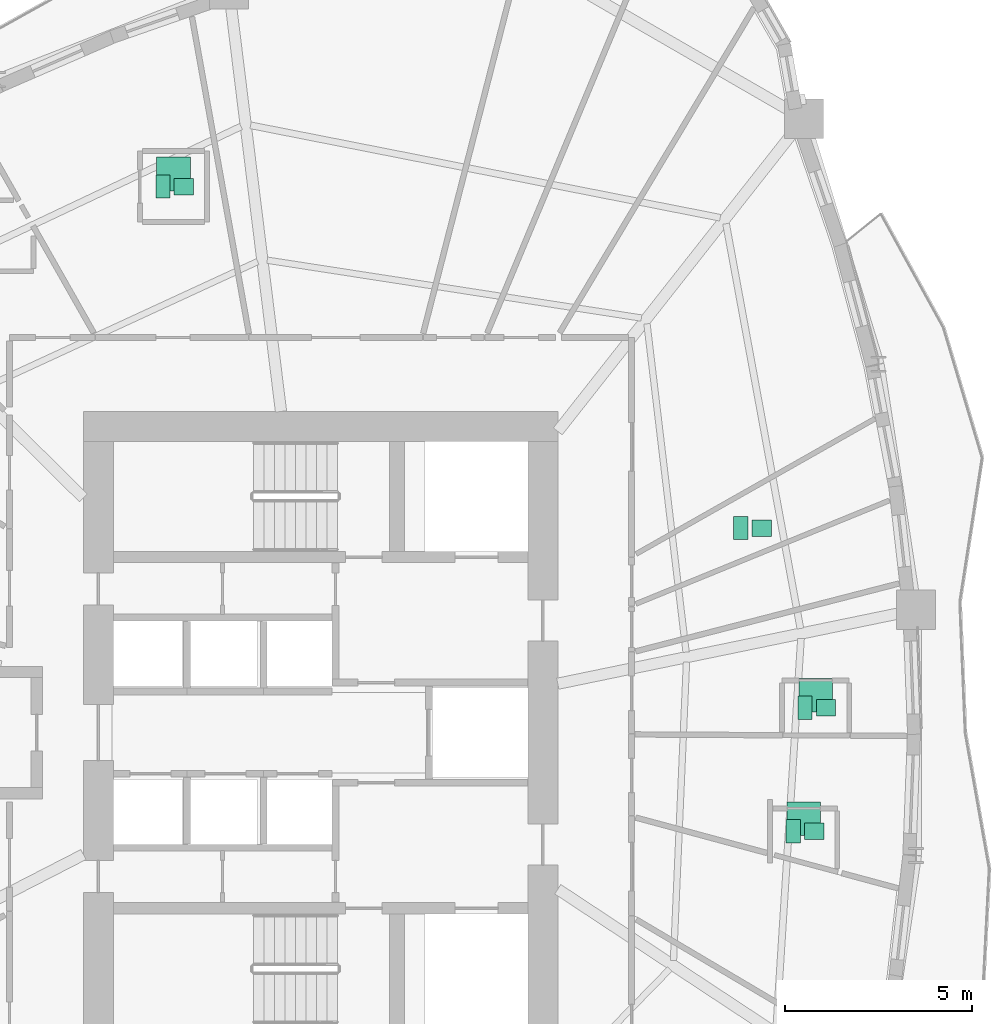
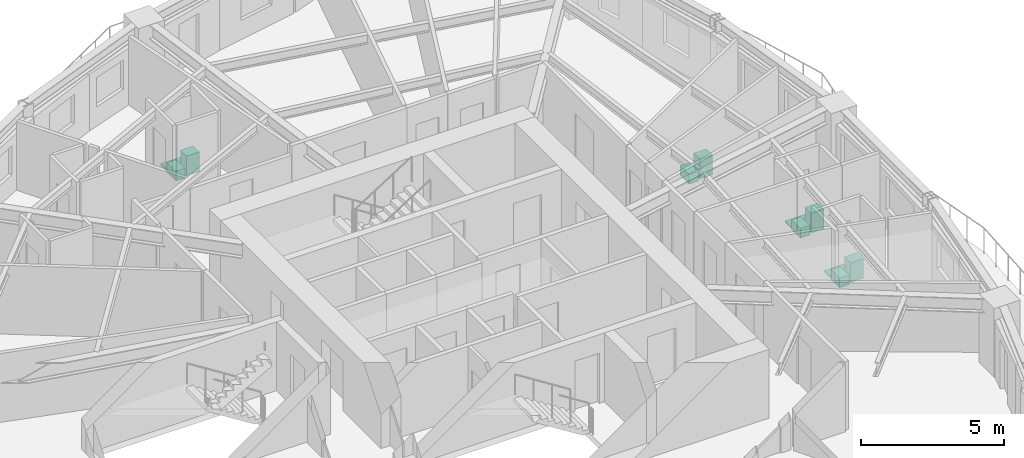
# One storey, part 13 of 13: 11 sanitary terminals.
"""IFC4 building model written with IfcOpenShell, lengths in metres."""

import ifcopenshell
import ifcopenshell.guid

model = None  # the IFC model being written
_history = None  # IfcOwnerHistory: only IFC2X3 demands one
_inside = {}  # id of a spatial element -> (the spatial element, [elements in it])
_under = {}  # id of a project, library or spatial element -> (it, [spatial elements below it])
_declared = {}  # id of a project -> (the project, [libraries it declares])
_typed = {}  # id of a type object -> (the type object, [elements of that type])
_made_of = {}  # id of a material, layer set ... -> (it, [elements and type objects made of it])


def new_model(schema):
    """Start an empty IFC model of exactly this schema.

    Asked for "IFC4X3", IfcOpenShell would pick the latest addendum, in which some entities
    have other attributes; the version numbers below select the first issue.
    IFC2X3 requires an IfcOwnerHistory on every rooted entity: one is made here for all.
    """
    global model, _history
    if schema == "IFC4X3":
        model = ifcopenshell.file(schema_version=(4, 3, 0, 0))
    else:
        model = ifcopenshell.file(schema=schema)
    _inside.clear()
    _under.clear()
    _declared.clear()
    _typed.clear()
    _made_of.clear()
    _history = None
    if model.schema == "IFC2X3":
        org = make("IfcOrganization", Name="unknown")
        user = make(
            "IfcPersonAndOrganization",
            ThePerson=make("IfcPerson", FamilyName="unknown"),
            TheOrganization=org,
        )
        app = make(
            "IfcApplication",
            ApplicationDeveloper=org,
            Version="unknown",
            ApplicationFullName="unknown",
            ApplicationIdentifier="unknown",
        )
        _history = make(
            "IfcOwnerHistory",
            OwningUser=user,
            OwningApplication=app,
            ChangeAction="ADDED",
            CreationDate=0,
        )
    return model


def make(cls, **values):
    """One entity of the class cls with the attributes given. An attribute that is None is left unset."""
    return model.create_entity(
        cls, **{name: value for name, value in values.items() if value is not None}
    )


def rooted(cls, **values):
    """An entity with a GlobalId (a new one), such as an element, a storey or a relation."""
    return make(cls, GlobalId=ifcopenshell.guid.new(), OwnerHistory=_history, **values)


def si_unit(unit_type, name, prefix=None):
    """IfcSIUnit, for example si_unit("LENGTHUNIT", "METRE", prefix="MILLI")."""
    return make("IfcSIUnit", UnitType=unit_type, Prefix=prefix, Name=name)


def assignment(units):
    """IfcUnitAssignment: the units of a project."""
    return None if units is None else make("IfcUnitAssignment", Units=units)


def point(xyz):
    """IfcCartesianPoint."""
    return None if xyz is None else make("IfcCartesianPoint", Coordinates=xyz)


def direction(xyz):
    """IfcDirection."""
    return None if xyz is None else make("IfcDirection", DirectionRatios=xyz)


def frame(location, z_axis=None, x_axis=None):
    """IfcAxis2Placement3D, a coordinate frame: its origin and axes. An axis left out is left unset."""
    return make(
        "IfcAxis2Placement3D",
        Location=point(location),
        Axis=direction(z_axis),
        RefDirection=direction(x_axis),
    )


def frame_2d(location, x_axis=None):
    """IfcAxis2Placement2D, a coordinate frame in the plane: its origin and x axis."""
    return make(
        "IfcAxis2Placement2D", Location=point(location), RefDirection=direction(x_axis)
    )


def origin():
    """The frame at (0, 0, 0) with its axes left unset."""
    return frame((0.0, 0.0, 0.0))


def origin_2d():
    """The frame at (0, 0) in the plane with its x axis left unset."""
    return frame_2d((0.0, 0.0))


def place(relative_to, where):
    """IfcLocalPlacement: puts the frame where relative to a parent placement (None: the world)."""
    return make(
        "IfcLocalPlacement", PlacementRelTo=relative_to, RelativePlacement=where
    )


def context(
    kind, dimensions, precision=None, world=None, true_north=None, identifier=None
):
    """IfcGeometricRepresentationContext, for example the 3D "Model" context."""
    return make(
        "IfcGeometricRepresentationContext",
        ContextIdentifier=identifier,
        ContextType=kind,
        CoordinateSpaceDimension=dimensions,
        Precision=precision,
        WorldCoordinateSystem=world,
        TrueNorth=true_north,
    )


def subcontext(parent, identifier, kind, view, scale=None):
    """IfcGeometricRepresentationSubContext, for example "Body" below "Model"."""
    return make(
        "IfcGeometricRepresentationSubContext",
        ContextIdentifier=identifier,
        ContextType=kind,
        ParentContext=parent,
        TargetScale=scale,
        TargetView=view,
    )


def project(units=None, contexts=None):
    """IfcProject with its units and contexts."""
    return rooted(
        "IfcProject",
        Name="project",
        RepresentationContexts=contexts,
        UnitsInContext=assignment(units),
    )


def spatial(cls, under=None, at=None, **own):
    """A site, building, storey or space (cls), placed at a placement, below another one or the project."""
    s = rooted(cls, ObjectPlacement=at, **own)
    if under is not None:
        _under.setdefault(under.id(), (under, []))[1].append(s)
    return s


def profile(cls, at=None, kind="AREA", **sizes):
    """A parametric profile (cls). Its sizes go by their IFC names, for example OverallWidth=200.0."""
    return make(cls, ProfileType=kind, Position=at, **sizes)


def rectangle(**sizes):
    """IfcRectangleProfileDef."""
    return profile("IfcRectangleProfileDef", **sizes)


def extrude(swept, where, along, depth):
    """IfcExtrudedAreaSolid: the profile swept, set in the frame where, extruded along a direction by depth."""
    return make(
        "IfcExtrudedAreaSolid",
        SweptArea=swept,
        Position=where,
        ExtrudedDirection=direction(along),
        Depth=depth,
    )


def shape(context_of_items, identifier, shape_type, items):
    """IfcShapeRepresentation: the items that make up one representation, for example the "Body"."""
    return make(
        "IfcShapeRepresentation",
        ContextOfItems=context_of_items,
        RepresentationIdentifier=identifier,
        RepresentationType=shape_type,
        Items=items,
    )


def source(mapping_origin, context_of_items, identifier, shape_type, items):
    """IfcRepresentationMap: a shape defined once, which mapped items show again and again."""
    return make(
        "IfcRepresentationMap",
        MappingOrigin=mapping_origin,
        MappedRepresentation=shape(context_of_items, identifier, shape_type, items),
    )


def transform(
    local_origin,
    x_axis=None,
    y_axis=None,
    z_axis=None,
    scale=None,
    scale2=None,
    scale3=None,
    uniform=True,
):
    """IfcCartesianTransformationOperator3D, or its non-uniform kind. x_axis, y_axis, z_axis: its Axis1, 2, 3."""
    if uniform:
        return make(
            "IfcCartesianTransformationOperator3D",
            Axis1=direction(x_axis),
            Axis2=direction(y_axis),
            LocalOrigin=point(local_origin),
            Scale=scale,
            Axis3=direction(z_axis),
        )
    return make(
        "IfcCartesianTransformationOperator3DnonUniform",
        Axis1=direction(x_axis),
        Axis2=direction(y_axis),
        LocalOrigin=point(local_origin),
        Scale=scale,
        Axis3=direction(z_axis),
        Scale2=scale2,
        Scale3=scale3,
    )


def mapped(mapping_source, mapping_target):
    """IfcMappedItem: shows the shape of a source again, moved by a transform."""
    return make(
        "IfcMappedItem", MappingSource=mapping_source, MappingTarget=mapping_target
    )


def material(Name=None, Category=None):
    """IfcMaterial."""
    return make("IfcMaterial", Name=Name, Category=Category)


def made_of(thing, what):
    """Note that an element or type object is made of a material, layer set ...; save() writes the relation."""
    if what is not None:
        _made_of.setdefault(what.id(), (what, []))[1].append(thing)
    return thing


def type_object(cls, material=None, **own):
    """A type object (cls), such as IfcWallType, which elements share."""
    return made_of(rooted(cls, **own), material)


def element(
    cls,
    number,
    at=None,
    inside=None,
    cuts=None,
    type_object=None,
    material=None,
    context=None,
    identifier="Body",
    shape_type=None,
    held_by="IfcProductDefinitionShape",
    body=None,
    shapes=None,
    **own,
):
    """One element of the class cls, such as IfcWall. Its Tag is "e" and its number.

    at: its placement. inside: the storey or other place that contains it. cuts: it is an
    opening in that element (IfcRelVoidsElement). A single representation is given by context,
    identifier, shape_type and body (its items); several are given by shapes. held_by: the class
    of the entity that holds the representations. save() writes the other relations.
    """
    e = rooted(cls, Tag="e%d" % number, ObjectPlacement=at, **own)
    if body is not None:
        shapes = [shape(context, identifier, shape_type, body)]
    if shapes is not None:
        e.Representation = make(held_by, Representations=shapes)
    if inside is not None:
        _inside.setdefault(inside.id(), (inside, []))[1].append(e)
    if cuts is not None:
        rooted(
            "IfcRelVoidsElement", RelatingBuildingElement=cuts, RelatedOpeningElement=e
        )
    if type_object is not None:
        _typed.setdefault(type_object.id(), (type_object, []))[1].append(e)
    return made_of(e, material)


def aggregate(whole, parts):
    """IfcRelAggregates: a whole, such as a stair, and the parts it consists of."""
    return rooted("IfcRelAggregates", RelatingObject=whole, RelatedObjects=parts)


def save(model, path):
    """Write the relations noted so far, then the file.

    IfcRelAggregates (storeys below a building ...), IfcRelContainedInSpatialStructure (elements
    in a storey), IfcRelDefinesByType, IfcRelAssociatesMaterial and IfcRelDeclares: one each for
    every whole, place, type object, material and project.
    """
    for whole, parts in _under.values():
        aggregate(whole, parts)
    for where, things in _inside.values():
        rooted(
            "IfcRelContainedInSpatialStructure",
            RelatedElements=things,
            RelatingStructure=where,
        )
    for kind, things in _typed.values():
        rooted("IfcRelDefinesByType", RelatedObjects=things, RelatingType=kind)
    for what, things in _made_of.values():
        rooted("IfcRelAssociatesMaterial", RelatedObjects=things, RelatingMaterial=what)
    for by, libraries in _declared.values():
        rooted("IfcRelDeclares", RelatingContext=by, RelatedDefinitions=libraries)
    model.write(path)


model = new_model("IFC4")

# Units and contexts
model_context = context("Model", 3, precision=1e-05, world=origin(), true_north=direction((0.0, 1.0)))
body_context = subcontext(model_context, "Body", "Model", "MODEL_VIEW")
ifc_project = project(units=[si_unit("LENGTHUNIT", "METRE"), si_unit("AREAUNIT", "SQUARE_METRE"), si_unit("VOLUMEUNIT", "CUBIC_METRE"), si_unit("PLANEANGLEUNIT", "RADIAN"), si_unit("MASSUNIT", "GRAM", prefix="KILO")], contexts=[model_context])

# Site, building, storey
site_placement = place(None, origin())
site = spatial("IfcSite", under=ifc_project, at=site_placement, CompositionType="ELEMENT")
building_placement = place(site_placement, origin())
building = spatial("IfcBuilding", under=site, at=building_placement, Name="Qafzar Sky-Pleat Residences", CompositionType="ELEMENT")
storey_placement = place(building_placement, frame((0.0, 0.0, 46.199951171875)))
storey = spatial("IfcBuildingStorey", under=building, at=storey_placement, Name="L13", CompositionType="ELEMENT", Elevation=46.199951171875)

# Sanitary terminals
ifc_material_1 = material(Name="Vitreous china sanitaryware")
sanitary_terminal_type_1 = type_object("IfcSanitaryTerminalType", Name="SAN-WC-PAN", PredefinedType="TOILETPAN", material=ifc_material_1)
shared_shape_1 = source(origin(), body_context, "Body", "SweptSolid", [
    extrude(rectangle(XDim=0.3798828125, YDim=0.6201171875, at=origin_2d()), origin(), (0.0, 0.0, 1.0), 0.419921875),
])
for number, where, z_axis, x_axis, name in (
    (1, (43.00390625, 23.359375, 0.0), (0.0, 0.0, 1.0), (1.0, 0.0, 0.0), "L13 En-suite Bathroom 3 WC Pan"),
    (2, (43.322021484375, 26.664794921875, 0.0), (0.0, 0.0, 1.0), (1.0, 0.0, 0.0), "L13 En-suite Bathroom 4 WC Pan"),
    (3, (41.5966796875, 31.474609375, 0.0), (0.0, 0.0, 1.0), (1.0, 0.0, 0.0), "L13 Accessible Shared Washroom WC Pan"),
    (4, (26.132080078125, 40.617919921875, 0.0), (0.0, 0.0, 1.0), (1.0, 0.0, 0.0), "L13 En-suite Bathroom 7 WC Pan"),
):
    element("IfcSanitaryTerminal", number, at=place(storey_placement, frame(where, z_axis=z_axis, x_axis=x_axis)), inside=storey, type_object=sanitary_terminal_type_1, Name=name, PredefinedType="TOILETPAN", context=body_context, shape_type="MappedRepresentation", body=[
        mapped(shared_shape_1, transform((0.0, 0.0, 0.0), x_axis=(1.0, 0.0, 0.0), y_axis=(0.0, 1.0, 0.0), z_axis=(0.0, 0.0, 1.0), scale=1.0)),
    ])
sanitary_terminal_type_2 = type_object("IfcSanitaryTerminalType", Name="SAN-BASIN", PredefinedType="WASHHANDBASIN", material=ifc_material_1)
shared_shape_2 = source(origin(), body_context, "Body", "SweptSolid", [
    extrude(rectangle(XDim=0.52001953125, YDim=0.43994140625, at=origin_2d()), origin(), (0.0, 0.0, 1.0), 0.840087890625),
])
for number, where, z_axis, x_axis, name in (
    (5, (43.56396484375, 23.359375, 0.0), (0.0, 0.0, 1.0), (1.0, 0.0, 0.0), "L13 En-suite Bathroom 3 Pedestal Washbasin"),
    (6, (43.882080078125, 26.664794921875, 0.0), (0.0, 0.0, 1.0), (1.0, 0.0, 0.0), "L13 En-suite Bathroom 4 Pedestal Washbasin"),
    (7, (42.15673828125, 31.474609375, 0.0), (0.0, 0.0, 1.0), (1.0, 0.0, 0.0), "L13 Accessible Shared Washroom Pedestal Washbasin"),
    (8, (26.69189453125, 40.617919921875, 0.0), (0.0, 0.0, 1.0), (1.0, 0.0, 0.0), "L13 En-suite Bathroom 7 Pedestal Washbasin"),
):
    element("IfcSanitaryTerminal", number, at=place(storey_placement, frame(where, z_axis=z_axis, x_axis=x_axis)), inside=storey, type_object=sanitary_terminal_type_2, Name=name, PredefinedType="WASHHANDBASIN", context=body_context, shape_type="MappedRepresentation", body=[
        mapped(shared_shape_2, transform((0.0, 0.0, 0.0), x_axis=(1.0, 0.0, 0.0), y_axis=(0.0, 1.0, 0.0), z_axis=(0.0, 0.0, 1.0), scale=1.0)),
    ])
ifc_material_2 = material(Name="Vitreous china and acrylic tray")
sanitary_terminal_type_3 = type_object("IfcSanitaryTerminalType", Name="SAN-SHOWER", PredefinedType="SHOWER", material=ifc_material_2)
shared_shape_3 = source(origin(), body_context, "Body", "SweptSolid", [
    extrude(rectangle(XDim=0.89990234375, YDim=0.89990234375, at=origin_2d()), origin(), (0.0, 0.0, 1.0), 0.080078125),
])
for number, where, z_axis, x_axis, name in (
    (9, (43.283935546875, 23.69921875, 0.0), (0.0, 0.0, 1.0), (1.0, 0.0, 0.0), "L13 En-suite Bathroom 3 Walk-In Shower"),
    (10, (43.60205078125, 27.0048828125, 0.0), (0.0, 0.0, 1.0), (1.0, 0.0, 0.0), "L13 En-suite Bathroom 4 Walk-In Shower"),
    (11, (26.412109375, 40.9580078125, 0.0), (0.0, 0.0, 1.0), (1.0, 0.0, 0.0), "L13 En-suite Bathroom 7 Walk-In Shower"),
):
    element("IfcSanitaryTerminal", number, at=place(storey_placement, frame(where, z_axis=z_axis, x_axis=x_axis)), inside=storey, type_object=sanitary_terminal_type_3, Name=name, PredefinedType="SHOWER", context=body_context, shape_type="MappedRepresentation", body=[
        mapped(shared_shape_3, transform((0.0, 0.0, 0.0), x_axis=(1.0, 0.0, 0.0), y_axis=(0.0, 1.0, 0.0), z_axis=(0.0, 0.0, 1.0), scale=1.0)),
    ])

save(model, "model.ifc")
